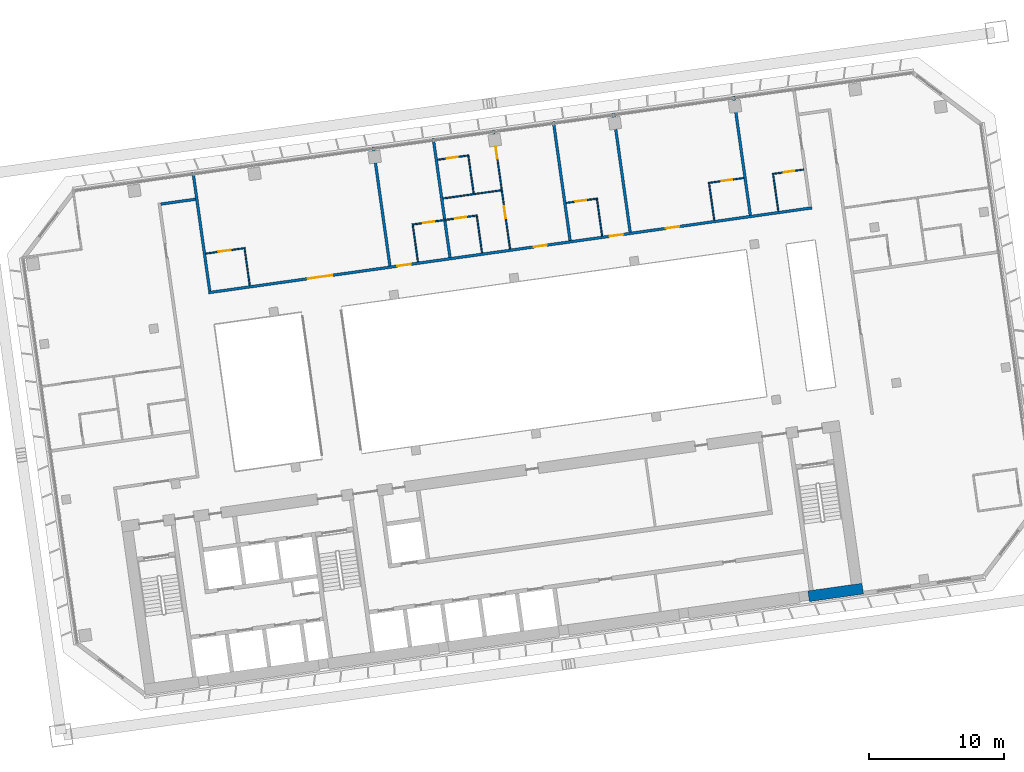
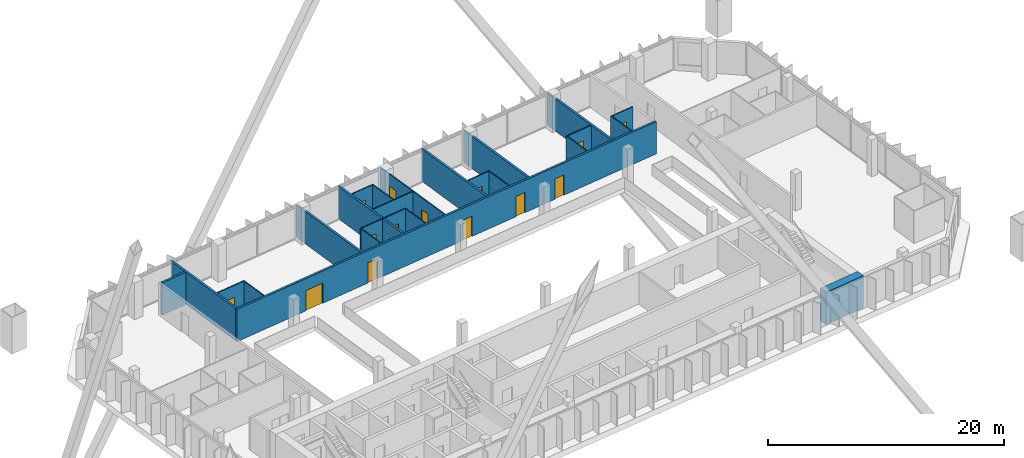
# One storey, part 36 of 41: 24 walls, 14 doors, 14 openings.
"""IFC4 building model written with IfcOpenShell, lengths in metres."""

from ifc_helpers import new_model, si_unit, direction, frame, frame_2d, origin, place, context, subcontext, project, spatial, rectangle, extrude, material, layer, layer_set, type_object, element, fill, save


model = new_model("IFC4")

# Units and contexts
model_context = context("Model", 3, precision=1e-05, world=origin(), true_north=direction((0.0, 1.0)))
body_context = subcontext(model_context, "Body", "Model", "MODEL_VIEW")
ifc_project = project(units=[si_unit("LENGTHUNIT", "METRE"), si_unit("AREAUNIT", "SQUARE_METRE"), si_unit("VOLUMEUNIT", "CUBIC_METRE"), si_unit("PLANEANGLEUNIT", "RADIAN"), si_unit("MASSUNIT", "GRAM", prefix="KILO")], contexts=[model_context])

# Site, building, storey
site_placement = place(None, origin())
site = spatial("IfcSite", under=ifc_project, at=site_placement, CompositionType="ELEMENT")
building_placement = place(site_placement, origin())
building = spatial("IfcBuilding", under=site, at=building_placement, Name="Mirante Cascada Hotel Towers", CompositionType="ELEMENT")
storey_placement = place(building_placement, frame((0.0, 0.0, 125.3)))
storey = spatial("IfcBuildingStorey", under=building, at=storey_placement, Name="L28", CompositionType="ELEMENT", Elevation=125.3)

# Wall, openings, doors
ifc_material_1 = material(Name="Fire-rated plasterboard on metal studs")
ifc_layer_1 = layer(ifc_material_1, 0.2)
ifc_layer_set_1 = layer_set([ifc_layer_1], Name="Compartment wall 200 EI 120")
wall_type_1 = type_object("IfcWallType", Name="Compartment wall 200 EI 120", PredefinedType="PARTITIONING", material=ifc_layer_set_1)
wall_1_placement = place(storey_placement, frame((86.638, 16.0582, 0.0), z_axis=(0.0, 0.0, 1.0), x_axis=(-0.9902681, -0.1391726, 0.0)))
wall_1 = element("IfcWall", 1, at=wall_1_placement, inside=storey, type_object=wall_type_1, Name="Wall 2-L28-12", PredefinedType="PARTITIONING", context=body_context, shape_type="SweptSolid", body=[
    extrude(rectangle(XDim=45.2, YDim=0.2, at=frame_2d((22.6, 0.0))), origin(), (0.0, 0.0, 1.0), 3.35),
])
opening_1_placement = place(wall_1_placement, frame((35.95, 0.0, 0.0)))
opening_1 = element("IfcOpeningElement", 2, at=opening_1_placement, cuts=wall_1, Name="Opening D2-L28-06", PredefinedType="OPENING", context=body_context, shape_type="SweptSolid", body=[
    extrude(rectangle(XDim=1.8, YDim=2.1, at=frame_2d((0.9, 1.05))), frame((0.0, 0.1, 0.0), z_axis=(0.0, -1.0, 0.0), x_axis=(1.0, 0.0, 0.0)), (0.0, 0.0, 1.0), 0.2),
])
opening_2_placement = place(wall_1_placement, frame((30.05, 0.0, 0.0)))
opening_2 = element("IfcOpeningElement", 3, at=opening_2_placement, cuts=wall_1, Name="Opening D2-L28-07", PredefinedType="OPENING", context=body_context, shape_type="SweptSolid", body=[
    extrude(rectangle(XDim=1.0, YDim=2.1, at=frame_2d((0.5, 1.05))), frame((0.0, 0.1, 0.0), z_axis=(0.0, -1.0, 0.0), x_axis=(1.0, 0.0, 0.0)), (0.0, 0.0, 1.0), 0.2),
])
opening_3_placement = place(wall_1_placement, frame((19.85, 0.0, 0.0)))
opening_3 = element("IfcOpeningElement", 4, at=opening_3_placement, cuts=wall_1, Name="Opening D2-L28-08", PredefinedType="OPENING", context=body_context, shape_type="SweptSolid", body=[
    extrude(rectangle(XDim=1.0, YDim=2.1, at=frame_2d((0.5, 1.05))), frame((0.0, 0.1, 0.0), z_axis=(0.0, -1.0, 0.0), x_axis=(1.0, 0.0, 0.0)), (0.0, 0.0, 1.0), 0.2),
])
opening_4_placement = place(wall_1_placement, frame((14.15, 0.0, 0.0)))
opening_4 = element("IfcOpeningElement", 5, at=opening_4_placement, cuts=wall_1, Name="Opening D2-L28-09", PredefinedType="OPENING", context=body_context, shape_type="SweptSolid", body=[
    extrude(rectangle(XDim=1.0, YDim=2.1, at=frame_2d((0.5, 1.05))), frame((0.0, 0.1, 0.0), z_axis=(0.0, -1.0, 0.0), x_axis=(1.0, 0.0, 0.0)), (0.0, 0.0, 1.0), 0.2),
])
opening_5_placement = place(wall_1_placement, frame((9.95, 0.0, 0.0)))
opening_5 = element("IfcOpeningElement", 6, at=opening_5_placement, cuts=wall_1, Name="Opening D2-L28-10", PredefinedType="OPENING", context=body_context, shape_type="SweptSolid", body=[
    extrude(rectangle(XDim=1.0, YDim=2.1, at=frame_2d((0.5, 1.05))), frame((0.0, 0.1, 0.0), z_axis=(0.0, -1.0, 0.0), x_axis=(1.0, 0.0, 0.0)), (0.0, 0.0, 1.0), 0.2),
])
ifc_material_2 = material(Name="Fire-rated timber door leaf", Category="wood")
door_type_1 = type_object("IfcDoorType", Name="Entrance door DG1 1000x2100 EI 60", OperationType="SINGLE_SWING_LEFT", PredefinedType="DOOR", material=ifc_material_2)
door_1_placement = place(opening_2_placement, frame((1.0, 0.0, 0.0), z_axis=(0.0, 0.0, 1.0), x_axis=(-1.0, 0.0, 0.0)))
door_1 = element("IfcDoor", 7, at=door_1_placement, inside=storey, type_object=door_type_1, Name="Door D2-L28-07", OperationType="SINGLE_SWING_RIGHT", OverallHeight=2.1, OverallWidth=1.0, PredefinedType="DOOR", context=body_context, shape_type="SweptSolid", body=[
    extrude(rectangle(XDim=1.0, YDim=2.1, at=frame_2d((0.5, 1.05))), frame((0.0, 0.025, 0.0), z_axis=(0.0, -1.0, 0.0), x_axis=(1.0, 0.0, 0.0)), (0.0, 0.0, 1.0), 0.05),
])
fill(opening_2, door_1)
door_2_placement = place(opening_3_placement, frame((1.0, 0.0, 0.0), z_axis=(0.0, 0.0, 1.0), x_axis=(-1.0, 0.0, 0.0)))
door_2 = element("IfcDoor", 8, at=door_2_placement, inside=storey, type_object=door_type_1, Name="Door D2-L28-08", OperationType="SINGLE_SWING_RIGHT", OverallHeight=2.1, OverallWidth=1.0, PredefinedType="DOOR", context=body_context, shape_type="SweptSolid", body=[
    extrude(rectangle(XDim=1.0, YDim=2.1, at=frame_2d((0.5, 1.05))), frame((0.0, 0.025, 0.0), z_axis=(0.0, -1.0, 0.0), x_axis=(1.0, 0.0, 0.0)), (0.0, 0.0, 1.0), 0.05),
])
fill(opening_3, door_2)
door_3_placement = place(opening_4_placement, frame((1.0, 0.0, 0.0), z_axis=(0.0, 0.0, 1.0), x_axis=(-1.0, 0.0, 0.0)))
door_3 = element("IfcDoor", 9, at=door_3_placement, inside=storey, type_object=door_type_1, Name="Door D2-L28-09", OperationType="SINGLE_SWING_RIGHT", OverallHeight=2.1, OverallWidth=1.0, PredefinedType="DOOR", context=body_context, shape_type="SweptSolid", body=[
    extrude(rectangle(XDim=1.0, YDim=2.1, at=frame_2d((0.5, 1.05))), frame((0.0, 0.025, 0.0), z_axis=(0.0, -1.0, 0.0), x_axis=(1.0, 0.0, 0.0)), (0.0, 0.0, 1.0), 0.05),
])
fill(opening_4, door_3)
door_4_placement = place(opening_5_placement, frame((1.0, 0.0, 0.0), z_axis=(0.0, 0.0, 1.0), x_axis=(-1.0, 0.0, 0.0)))
door_4 = element("IfcDoor", 10, at=door_4_placement, inside=storey, type_object=door_type_1, Name="Door D2-L28-10", OperationType="SINGLE_SWING_RIGHT", OverallHeight=2.1, OverallWidth=1.0, PredefinedType="DOOR", context=body_context, shape_type="SweptSolid", body=[
    extrude(rectangle(XDim=1.0, YDim=2.1, at=frame_2d((0.5, 1.05))), frame((0.0, 0.025, 0.0), z_axis=(0.0, -1.0, 0.0), x_axis=(1.0, 0.0, 0.0)), (0.0, 0.0, 1.0), 0.05),
])
fill(opening_5, door_4)
ifc_material_3 = material(Name="Fire-rated timber door leaf", Category="wood")
door_type_2 = type_object("IfcDoorType", Name="Suite double door DG2 1800x2100 EI 60", OperationType="DOUBLE_DOOR_SINGLE_SWING", PredefinedType="DOOR", material=ifc_material_3)
door_5_placement = place(opening_1_placement, origin())
door_5 = element("IfcDoor", 11, at=door_5_placement, inside=storey, type_object=door_type_2, Name="Door D2-L28-06", OperationType="DOUBLE_DOOR_SINGLE_SWING", OverallHeight=2.1, OverallWidth=1.8, PredefinedType="DOOR", context=body_context, shape_type="SweptSolid", body=[
    extrude(rectangle(XDim=0.895, YDim=2.1, at=frame_2d((0.4475, 1.05))), frame((0.0, 0.025, 0.0), z_axis=(0.0, -1.0, 0.0), x_axis=(1.0, 0.0, 0.0)), (0.0, 0.0, 1.0), 0.05),
    extrude(rectangle(XDim=0.895, YDim=2.1, at=frame_2d((1.3525, 1.05))), frame((0.0, 0.025, 0.0), z_axis=(0.0, -1.0, 0.0), x_axis=(1.0, 0.0, 0.0)), (0.0, 0.0, 1.0), 0.05),
])
fill(opening_1, door_5)

# Walls
wall_2_placement = place(storey_placement, frame((40.9036, 16.6995, 0.0), z_axis=(0.0, 0.0, 1.0), x_axis=(-0.9902647, -0.1391971, 0.0)))
element("IfcWall", 12, at=wall_2_placement, inside=storey, type_object=wall_type_1, Name="Wall 2-L28-20", PredefinedType="PARTITIONING", context=body_context, shape_type="SweptSolid", body=[
    extrude(rectangle(XDim=2.5999, YDim=0.2, at=frame_2d((1.3, 0.0))), origin(), (0.0, 0.0, 1.0), 3.35),
])
for number, where, z_axis, x_axis, name in (
    (13, (41.963, 9.8805, 0.0), (0.0, 0.0, 1.0), (-0.1391794, 0.9902672, 0.0), "Wall 2-L28-29"),
    (14, (55.3316, 11.7594, 0.0), (0.0, 0.0, 1.0), (-0.1391794, 0.9902672, 0.0), "Wall 2-L28-31"),
):
    element("IfcWall", number, at=place(storey_placement, frame(where, z_axis=z_axis, x_axis=x_axis)), inside=storey, type_object=wall_type_1, Name=name, PredefinedType="PARTITIONING", context=body_context, shape_type="SweptSolid", body=[
        extrude(rectangle(XDim=8.9, YDim=0.2, at=frame_2d((4.45, 0.0))), origin(), (0.0, 0.0, 1.0), 3.35),
    ])
wall_3_placement = place(storey_placement, frame((59.7878, 12.3857, 0.0), z_axis=(0.0, 0.0, 1.0), x_axis=(-0.13917, 0.9902685, 0.0)))
element("IfcWall", 15, at=wall_3_placement, inside=storey, type_object=wall_type_1, Name="Wall 2-L28-33", PredefinedType="PARTITIONING", context=body_context, shape_type="SweptSolid", body=[
    extrude(rectangle(XDim=8.8999, YDim=0.2, at=frame_2d((4.45, 0.0))), origin(), (0.0, 0.0, 1.0), 3.35),
])
for number, where, z_axis, x_axis, name in (
    (16, (68.7002, 13.6382, 0.0), (0.0, 0.0, 1.0), (-0.1391684, 0.9902687, 0.0), "Wall 2-L28-37"),
    (17, (73.1564, 14.2645, 0.0), (0.0, 0.0, 1.0), (-0.1391684, 0.9902687, 0.0), "Wall 2-L28-39"),
):
    element("IfcWall", number, at=place(storey_placement, frame(where, z_axis=z_axis, x_axis=x_axis)), inside=storey, type_object=wall_type_1, Name=name, PredefinedType="PARTITIONING", context=body_context, shape_type="SweptSolid", body=[
        extrude(rectangle(XDim=8.9, YDim=0.2, at=frame_2d((4.45, 0.0))), origin(), (0.0, 0.0, 1.0), 3.35),
    ])
wall_4_placement = place(storey_placement, frame((82.0688, 15.5171, 0.0), z_axis=(0.0, 0.0, 1.0), x_axis=(-0.13917, 0.9902685, 0.0)))
element("IfcWall", 18, at=wall_4_placement, inside=storey, type_object=wall_type_1, Name="Wall 2-L28-41", PredefinedType="PARTITIONING", context=body_context, shape_type="SweptSolid", body=[
    extrude(rectangle(XDim=8.8999, YDim=0.2, at=frame_2d((4.45, 0.0))), origin(), (0.0, 0.0, 1.0), 3.35),
])

# Wall, opening, door
ifc_material_4 = material(Name="Plasterboard on metal studs")
ifc_layer_2 = layer(ifc_material_4, 0.1)
ifc_layer_set_2 = layer_set([ifc_layer_2], Name="Partition 100")
wall_type_2 = type_object("IfcWallType", Name="Partition 100", PredefinedType="PARTITIONING", material=ifc_layer_set_2)
wall_5_placement = place(storey_placement, frame((41.6723, 12.6672, 0.0), z_axis=(0.0, 0.0, 1.0), x_axis=(0.9902663, 0.1391858, 0.0)))
wall_5 = element("IfcWall", 19, at=wall_5_placement, inside=storey, type_object=wall_type_2, Name="Wall 2-L28-13", PredefinedType="PARTITIONING", context=body_context, shape_type="SweptSolid", body=[
    extrude(rectangle(XDim=2.95, YDim=0.1, at=frame_2d((1.475, 0.0))), origin(), (0.0, 0.0, 1.0), 3.35),
])
opening_6_placement = place(wall_5_placement, frame((0.95, 0.0, 0.0)))
opening_6 = element("IfcOpeningElement", 20, at=opening_6_placement, cuts=wall_5, Name="Opening D2-L28-11", PredefinedType="OPENING", context=body_context, shape_type="SweptSolid", body=[
    extrude(rectangle(XDim=0.9, YDim=2.1, at=frame_2d((0.45, 1.05))), frame((0.0, 0.05, 0.0), z_axis=(0.0, -1.0, 0.0), x_axis=(1.0, 0.0, 0.0)), (0.0, 0.0, 1.0), 0.1),
])
ifc_material_5 = material(Name="Timber door leaf", Category="wood")
door_type_3 = type_object("IfcDoorType", Name="Room door DG3 900x2100", OperationType="SINGLE_SWING_LEFT", PredefinedType="DOOR", material=ifc_material_5)
door_6_placement = place(opening_6_placement, origin())
door_6 = element("IfcDoor", 21, at=door_6_placement, inside=storey, type_object=door_type_3, Name="Door D2-L28-11", OperationType="SINGLE_SWING_LEFT", OverallHeight=2.1, OverallWidth=0.9, PredefinedType="DOOR", context=body_context, shape_type="SweptSolid", body=[
    extrude(rectangle(XDim=0.9, YDim=2.1, at=frame_2d((0.45, 1.05))), frame((0.0, 0.025, 0.0), z_axis=(0.0, -1.0, 0.0), x_axis=(1.0, 0.0, 0.0)), (0.0, 0.0, 1.0), 0.05),
])
fill(opening_6, door_6)

# Wall, openings, doors
wall_6_placement = place(storey_placement, frame((61.8243, 15.4994, 0.0), z_axis=(0.0, 0.0, 1.0), x_axis=(-0.9902666, -0.1391838, 0.0)))
wall_6 = element("IfcWall", 22, at=wall_6_placement, inside=storey, type_object=wall_type_2, Name="Wall 2-L28-14", PredefinedType="PARTITIONING", context=body_context, shape_type="SweptSolid", body=[
    extrude(rectangle(XDim=4.9, YDim=0.1, at=frame_2d((2.45, 0.0))), origin(), (0.0, 0.0, 1.0), 3.35),
])
opening_7_placement = place(wall_6_placement, frame((3.25, 0.0, 0.0)))
opening_7 = element("IfcOpeningElement", 23, at=opening_7_placement, cuts=wall_6, Name="Opening D2-L28-12", PredefinedType="OPENING", context=body_context, shape_type="SweptSolid", body=[
    extrude(rectangle(XDim=0.8, YDim=2.1, at=frame_2d((0.4, 1.05))), frame((0.0, 0.05, 0.0), z_axis=(0.0, -1.0, 0.0), x_axis=(1.0, 0.0, 0.0)), (0.0, 0.0, 1.0), 0.1),
])
opening_8_placement = place(wall_6_placement, frame((0.85, 0.0, 0.0)))
opening_8 = element("IfcOpeningElement", 24, at=opening_8_placement, cuts=wall_6, Name="Opening D2-L28-13", PredefinedType="OPENING", context=body_context, shape_type="SweptSolid", body=[
    extrude(rectangle(XDim=0.8, YDim=2.1, at=frame_2d((0.4, 1.05))), frame((0.0, 0.05, 0.0), z_axis=(0.0, -1.0, 0.0), x_axis=(1.0, 0.0, 0.0)), (0.0, 0.0, 1.0), 0.1),
])
ifc_material_6 = material(Name="Timber door leaf", Category="wood")
door_type_4 = type_object("IfcDoorType", Name="Bathroom door DG4 800x2100", OperationType="SINGLE_SWING_LEFT", PredefinedType="DOOR", material=ifc_material_6)
door_7_placement = place(opening_7_placement, frame((0.8, 0.0, 0.0), z_axis=(0.0, 0.0, 1.0), x_axis=(-1.0, 0.0, 0.0)))
door_7 = element("IfcDoor", 25, at=door_7_placement, inside=storey, type_object=door_type_4, Name="Door D2-L28-12", OperationType="SINGLE_SWING_RIGHT", OverallHeight=2.1, OverallWidth=0.8, PredefinedType="DOOR", context=body_context, shape_type="SweptSolid", body=[
    extrude(rectangle(XDim=0.8, YDim=2.1, at=frame_2d((0.4, 1.05))), frame((0.0, 0.025, 0.0), z_axis=(0.0, -1.0, 0.0), x_axis=(1.0, 0.0, 0.0)), (0.0, 0.0, 1.0), 0.05),
])
fill(opening_7, door_7)
door_8_placement = place(opening_8_placement, origin())
door_8 = element("IfcDoor", 26, at=door_8_placement, inside=storey, type_object=door_type_4, Name="Door D2-L28-13", OperationType="SINGLE_SWING_LEFT", OverallHeight=2.1, OverallWidth=0.8, PredefinedType="DOOR", context=body_context, shape_type="SweptSolid", body=[
    extrude(rectangle(XDim=0.8, YDim=2.1, at=frame_2d((0.4, 1.05))), frame((0.0, 0.025, 0.0), z_axis=(0.0, -1.0, 0.0), x_axis=(1.0, 0.0, 0.0)), (0.0, 0.0, 1.0), 0.05),
])
fill(opening_8, door_8)

# Wall, opening, door
wall_7_placement = place(storey_placement, frame((68.4096, 16.4249, 0.0), z_axis=(0.0, 0.0, 1.0), x_axis=(0.9902705, 0.1391561, 0.0)))
wall_7 = element("IfcWall", 27, at=wall_7_placement, inside=storey, type_object=wall_type_2, Name="Wall 2-L28-15", PredefinedType="PARTITIONING", context=body_context, shape_type="SweptSolid", body=[
    extrude(rectangle(XDim=2.25, YDim=0.1, at=frame_2d((1.125, 0.0))), origin(), (0.0, 0.0, 1.0), 3.35),
])
opening_9_placement = place(wall_7_placement, frame((0.7, 0.0, 0.0)))
opening_9 = element("IfcOpeningElement", 28, at=opening_9_placement, cuts=wall_7, Name="Opening D2-L28-14", PredefinedType="OPENING", context=body_context, shape_type="SweptSolid", body=[
    extrude(rectangle(XDim=0.8, YDim=2.1, at=frame_2d((0.4, 1.05))), frame((0.0, 0.05, 0.0), z_axis=(0.0, -1.0, 0.0), x_axis=(1.0, 0.0, 0.0)), (0.0, 0.0, 1.0), 0.1),
])
door_9_placement = place(opening_9_placement, origin())
door_9 = element("IfcDoor", 29, at=door_9_placement, inside=storey, type_object=door_type_4, Name="Door D2-L28-14", OperationType="SINGLE_SWING_LEFT", OverallHeight=2.1, OverallWidth=0.8, PredefinedType="DOOR", context=body_context, shape_type="SweptSolid", body=[
    extrude(rectangle(XDim=0.8, YDim=2.1, at=frame_2d((0.4, 1.05))), frame((0.0, 0.025, 0.0), z_axis=(0.0, -1.0, 0.0), x_axis=(1.0, 0.0, 0.0)), (0.0, 0.0, 1.0), 0.05),
])
fill(opening_9, door_9)

wall_8_placement = place(storey_placement, frame((81.5801, 18.2759, 0.0), z_axis=(0.0, 0.0, 1.0), x_axis=(-0.9902677, -0.1391755, 0.0)))
wall_8 = element("IfcWall", 30, at=wall_8_placement, inside=storey, type_object=wall_type_2, Name="Wall 2-L28-16", PredefinedType="PARTITIONING", context=body_context, shape_type="SweptSolid", body=[
    extrude(rectangle(XDim=2.55, YDim=0.1, at=frame_2d((1.275, 0.0))), origin(), (0.0, 0.0, 1.0), 3.35),
])
opening_10_placement = place(wall_8_placement, frame((0.85, 0.0, 0.0)))
opening_10 = element("IfcOpeningElement", 31, at=opening_10_placement, cuts=wall_8, Name="Opening D2-L28-15", PredefinedType="OPENING", context=body_context, shape_type="SweptSolid", body=[
    extrude(rectangle(XDim=0.8, YDim=2.1, at=frame_2d((0.4, 1.05))), frame((0.0, 0.05, 0.0), z_axis=(0.0, -1.0, 0.0), x_axis=(1.0, 0.0, 0.0)), (0.0, 0.0, 1.0), 0.1),
])
door_10_placement = place(opening_10_placement, frame((0.8, 0.0, 0.0), z_axis=(0.0, 0.0, 1.0), x_axis=(-1.0, 0.0, 0.0)))
door_10 = element("IfcDoor", 32, at=door_10_placement, inside=storey, type_object=door_type_4, Name="Door D2-L28-15", OperationType="SINGLE_SWING_RIGHT", OverallHeight=2.1, OverallWidth=0.8, PredefinedType="DOOR", context=body_context, shape_type="SweptSolid", body=[
    extrude(rectangle(XDim=0.8, YDim=2.1, at=frame_2d((0.4, 1.05))), frame((0.0, 0.025, 0.0), z_axis=(0.0, -1.0, 0.0), x_axis=(1.0, 0.0, 0.0)), (0.0, 0.0, 1.0), 0.05),
])
fill(opening_10, door_10)

wall_9_placement = place(storey_placement, frame((83.8082, 18.589, 0.0), z_axis=(0.0, 0.0, 1.0), x_axis=(0.9902643, 0.1391997, 0.0)))
wall_9 = element("IfcWall", 33, at=wall_9_placement, inside=storey, type_object=wall_type_2, Name="Wall 2-L28-17", PredefinedType="PARTITIONING", context=body_context, shape_type="SweptSolid", body=[
    extrude(rectangle(XDim=2.25, YDim=0.1, at=frame_2d((1.125, 0.0))), origin(), (0.0, 0.0, 1.0), 3.35),
])
opening_11_placement = place(wall_9_placement, frame((0.75, 0.0, 0.0)))
opening_11 = element("IfcOpeningElement", 34, at=opening_11_placement, cuts=wall_9, Name="Opening D2-L28-16", PredefinedType="OPENING", context=body_context, shape_type="SweptSolid", body=[
    extrude(rectangle(XDim=0.8, YDim=2.1, at=frame_2d((0.4, 1.05))), frame((0.0, 0.05, 0.0), z_axis=(0.0, -1.0, 0.0), x_axis=(1.0, 0.0, 0.0)), (0.0, 0.0, 1.0), 0.1),
])
door_11_placement = place(opening_11_placement, origin())
door_11 = element("IfcDoor", 35, at=door_11_placement, inside=storey, type_object=door_type_4, Name="Door D2-L28-16", OperationType="SINGLE_SWING_LEFT", OverallHeight=2.1, OverallWidth=0.8, PredefinedType="DOOR", context=body_context, shape_type="SweptSolid", body=[
    extrude(rectangle(XDim=0.8, YDim=2.1, at=frame_2d((0.4, 1.05))), frame((0.0, 0.025, 0.0), z_axis=(0.0, -1.0, 0.0), x_axis=(1.0, 0.0, 0.0)), (0.0, 0.0, 1.0), 0.05),
])
fill(opening_11, door_11)

# Wall
wall_10_placement = place(storey_placement, frame((59.2745, 16.7568, 0.0), z_axis=(0.0, 0.0, 1.0), x_axis=(0.9902679, 0.1391745, 0.0)))
element("IfcWall", 36, at=wall_10_placement, inside=storey, type_object=wall_type_2, Name="Wall 2-L28-19", PredefinedType="PARTITIONING", context=body_context, shape_type="SweptSolid", body=[
    extrude(rectangle(XDim=4.3499, YDim=0.1, at=frame_2d((2.175, 0.0))), origin(), (0.0, 0.0, 1.0), 3.35),
])

# Wall, opening, door
wall_11_placement = place(storey_placement, frame((61.099, 19.9417, 0.0), z_axis=(0.0, 0.0, 1.0), x_axis=(-0.9902643, -0.1391997, 0.0)))
wall_11 = element("IfcWall", 37, at=wall_11_placement, inside=storey, type_object=wall_type_2, Name="Wall 2-L28-22", PredefinedType="PARTITIONING", context=body_context, shape_type="SweptSolid", body=[
    extrude(rectangle(XDim=2.25, YDim=0.1, at=frame_2d((1.125, 0.0))), origin(), (0.0, 0.0, 1.0), 3.35),
])
opening_12_placement = place(wall_11_placement, frame((0.75, 0.0, 0.0)))
opening_12 = element("IfcOpeningElement", 38, at=opening_12_placement, cuts=wall_11, Name="Opening D2-L28-17", PredefinedType="OPENING", context=body_context, shape_type="SweptSolid", body=[
    extrude(rectangle(XDim=0.8, YDim=2.1, at=frame_2d((0.4, 1.05))), frame((0.0, 0.05, 0.0), z_axis=(0.0, -1.0, 0.0), x_axis=(1.0, 0.0, 0.0)), (0.0, 0.0, 1.0), 0.1),
])
door_12_placement = place(opening_12_placement, origin())
door_12 = element("IfcDoor", 39, at=door_12_placement, inside=storey, type_object=door_type_4, Name="Door D2-L28-17", OperationType="SINGLE_SWING_LEFT", OverallHeight=2.1, OverallWidth=0.8, PredefinedType="DOOR", context=body_context, shape_type="SweptSolid", body=[
    extrude(rectangle(XDim=0.8, YDim=2.1, at=frame_2d((0.4, 1.05))), frame((0.0, 0.025, 0.0), z_axis=(0.0, -1.0, 0.0), x_axis=(1.0, 0.0, 0.0)), (0.0, 0.0, 1.0), 0.05),
])
fill(opening_12, door_12)

# Walls
wall_12_placement = place(storey_placement, frame((44.551, 13.0213, 0.0), z_axis=(0.0, 0.0, 1.0), x_axis=(0.1392013, -0.9902641, 0.0)))
element("IfcWall", 40, at=wall_12_placement, inside=storey, type_object=wall_type_2, Name="Wall 2-L28-30", PredefinedType="PARTITIONING", context=body_context, shape_type="SweptSolid", body=[
    extrude(rectangle(XDim=2.75, YDim=0.1, at=frame_2d((1.375, 0.0))), origin(), (0.0, 0.0, 1.0), 3.35),
])
wall_13_placement = place(storey_placement, frame((57.0284, 14.7749, 0.0), z_axis=(0.0, 0.0, 1.0), x_axis=(0.1391963, -0.9902648, 0.0)))
element("IfcWall", 41, at=wall_13_placement, inside=storey, type_object=wall_type_2, Name="Wall 2-L28-32", PredefinedType="PARTITIONING", context=body_context, shape_type="SweptSolid", body=[
    extrude(rectangle(XDim=2.7501, YDim=0.1, at=frame_2d((1.3751, 0.0))), origin(), (0.0, 0.0, 1.0), 3.35),
])
wall_14_placement = place(storey_placement, frame((61.7817, 15.4429, 0.0), z_axis=(0.0, 0.0, 1.0), x_axis=(0.1391657, -0.9902691, 0.0)))
element("IfcWall", 42, at=wall_14_placement, inside=storey, type_object=wall_type_2, Name="Wall 2-L28-34", PredefinedType="PARTITIONING", context=body_context, shape_type="SweptSolid", body=[
    extrude(rectangle(XDim=2.75, YDim=0.1, at=frame_2d((1.375, 0.0))), origin(), (0.0, 0.0, 1.0), 3.35),
])
wall_15_placement = place(storey_placement, frame((61.5451, 17.1264, 0.0), z_axis=(0.0, 0.0, 1.0), x_axis=(-0.1391761, 0.9902676, 0.0)))
element("IfcWall", 43, at=wall_15_placement, inside=storey, type_object=wall_type_2, Name="Wall 2-L28-35", PredefinedType="PARTITIONING", context=body_context, shape_type="SweptSolid", body=[
    extrude(rectangle(XDim=2.8999, YDim=0.1, at=frame_2d((1.45, 0.0))), origin(), (0.0, 0.0, 1.0), 3.35),
])

# Wall, openings, doors
wall_16_placement = place(storey_placement, frame((63.0054, 21.8253, 0.0), z_axis=(0.0, 0.0, 1.0), x_axis=(0.1391684, -0.9902687, 0.0)))
wall_16 = element("IfcWall", 44, at=wall_16_placement, inside=storey, type_object=wall_type_2, Name="Wall 2-L28-36", PredefinedType="PARTITIONING", context=body_context, shape_type="SweptSolid", body=[
    extrude(rectangle(XDim=8.9, YDim=0.1, at=frame_2d((4.45, 0.0))), origin(), (0.0, 0.0, 1.0), 3.35),
])
opening_13_placement = place(wall_16_placement, frame((5.7, 0.0, 0.0)))
opening_13 = element("IfcOpeningElement", 45, at=opening_13_placement, cuts=wall_16, Name="Opening D2-L28-22", PredefinedType="OPENING", context=body_context, shape_type="SweptSolid", body=[
    extrude(rectangle(XDim=0.9, YDim=2.1, at=frame_2d((0.45, 1.05))), frame((0.0, 0.05, 0.0), z_axis=(0.0, -1.0, 0.0), x_axis=(1.0, 0.0, 0.0)), (0.0, 0.0, 1.0), 0.1),
])
opening_14_placement = place(wall_16_placement, frame((1.25, 0.0, 0.0)))
opening_14 = element("IfcOpeningElement", 46, at=opening_14_placement, cuts=wall_16, Name="Opening D2-L28-23", PredefinedType="OPENING", context=body_context, shape_type="SweptSolid", body=[
    extrude(rectangle(XDim=0.9, YDim=2.1, at=frame_2d((0.45, 1.05))), frame((0.0, 0.05, 0.0), z_axis=(0.0, -1.0, 0.0), x_axis=(1.0, 0.0, 0.0)), (0.0, 0.0, 1.0), 0.1),
])
door_13_placement = place(opening_13_placement, origin())
door_13 = element("IfcDoor", 47, at=door_13_placement, inside=storey, type_object=door_type_3, Name="Door D2-L28-22", OperationType="SINGLE_SWING_LEFT", OverallHeight=2.1, OverallWidth=0.9, PredefinedType="DOOR", context=body_context, shape_type="SweptSolid", body=[
    extrude(rectangle(XDim=0.9, YDim=2.1, at=frame_2d((0.45, 1.05))), frame((0.0, 0.025, 0.0), z_axis=(0.0, -1.0, 0.0), x_axis=(1.0, 0.0, 0.0)), (0.0, 0.0, 1.0), 0.05),
])
fill(opening_13, door_13)
door_14_placement = place(opening_14_placement, origin())
door_14 = element("IfcDoor", 48, at=door_14_placement, inside=storey, type_object=door_type_3, Name="Door D2-L28-23", OperationType="SINGLE_SWING_LEFT", OverallHeight=2.1, OverallWidth=0.9, PredefinedType="DOOR", context=body_context, shape_type="SweptSolid", body=[
    extrude(rectangle(XDim=0.9, YDim=2.1, at=frame_2d((0.45, 1.05))), frame((0.0, 0.025, 0.0), z_axis=(0.0, -1.0, 0.0), x_axis=(1.0, 0.0, 0.0)), (0.0, 0.0, 1.0), 0.05),
])
fill(opening_14, door_14)

# Walls
for number, where, z_axis, x_axis, name in (
    (49, (70.6802, 16.7945, 0.0), (0.0, 0.0, 1.0), (0.1391909, -0.9902656, 0.0), "Wall 2-L28-38"),
    (50, (78.9985, 17.9636, 0.0), (0.0, 0.0, 1.0), (0.1391564, -0.9902704, 0.0), "Wall 2-L28-40"),
    (51, (83.7517, 18.6316, 0.0), (0.0, 0.0, 1.0), (0.1391909, -0.9902656, 0.0), "Wall 2-L28-42"),
):
    element("IfcWall", number, at=place(storey_placement, frame(where, z_axis=z_axis, x_axis=x_axis)), inside=storey, type_object=wall_type_2, Name=name, PredefinedType="PARTITIONING", context=body_context, shape_type="SweptSolid", body=[
        extrude(rectangle(XDim=2.85, YDim=0.1, at=frame_2d((1.425, 0.0))), origin(), (0.0, 0.0, 1.0), 3.35),
    ])
ifc_material_7 = material(Name="Concrete C50/60", Category="concrete")
ifc_layer_3 = layer(ifc_material_7, 0.8)
ifc_layer_set_3 = layer_set([ifc_layer_3], Name="RC core wall 800 C50/60")
wall_type_3 = type_object("IfcWallType", Name="RC core wall 800 C50/60", PredefinedType="SHEAR", material=ifc_layer_set_3)
wall_17_placement = place(storey_placement, frame((86.3958, -12.7559, 0.0), z_axis=(0.0, 0.0, 1.0), x_axis=(0.9902665, 0.1391845, 0.0)))
element("IfcWall", 52, at=wall_17_placement, inside=storey, type_object=wall_type_3, Name="Core wall T2:L28:1.7", PredefinedType="SHEAR", context=body_context, shape_type="SweptSolid", body=[
    extrude(rectangle(XDim=4.05, YDim=0.8, at=frame_2d((2.025, 0.0))), origin(), (0.0, 0.0, 1.0), 3.35),
])

save(model, "model.ifc")
